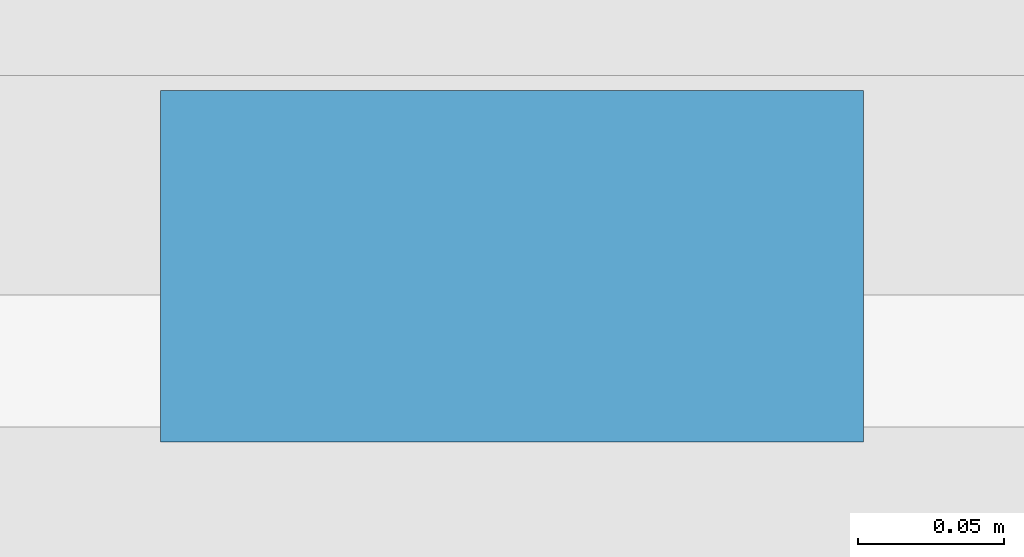
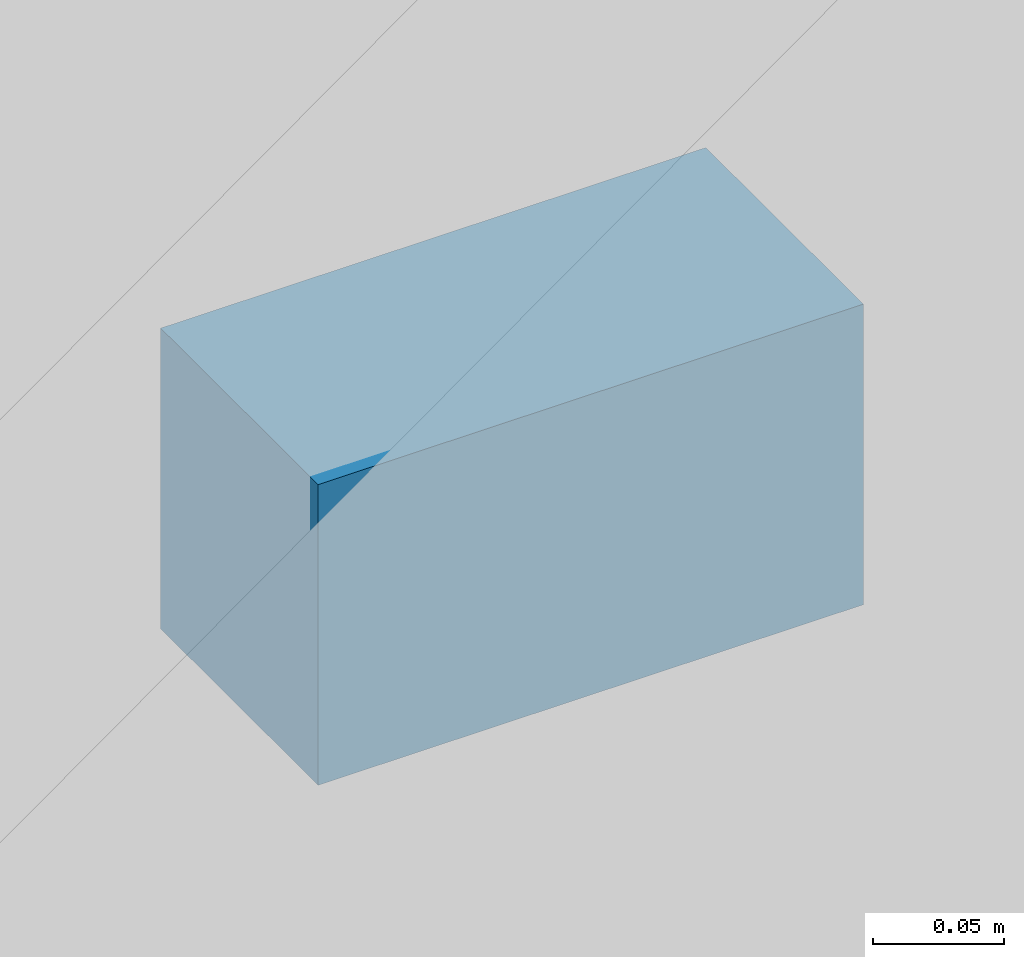
# One storey, part 37 of 53: 1 discrete accessory.
"""IFC4 building model written with IfcOpenShell, lengths in metres."""

from ifc_helpers import new_model, si_unit, direction, frame, origin, origin_2d, place, context, subcontext, project, spatial, rectangle, extrude, material, type_object, element, save


model = new_model("IFC4")

# Units and contexts
model_context = context("Model", 3, precision=1e-05, world=origin(), true_north=direction((0.0, 1.0)))
body_context = subcontext(model_context, "Body", "Model", "MODEL_VIEW")
ifc_project = project(units=[si_unit("LENGTHUNIT", "METRE"), si_unit("AREAUNIT", "SQUARE_METRE"), si_unit("VOLUMEUNIT", "CUBIC_METRE"), si_unit("PLANEANGLEUNIT", "RADIAN"), si_unit("MASSUNIT", "GRAM", prefix="KILO")], contexts=[model_context])

# Site, building, storey
site_placement = place(None, origin())
site = spatial("IfcSite", under=ifc_project, at=site_placement, CompositionType="ELEMENT")
building_placement = place(site_placement, origin())
building = spatial("IfcBuilding", under=site, at=building_placement, Name="Nzembalo Square Collegiate School", CompositionType="ELEMENT")
storey_placement = place(building_placement, frame((0.0, 0.0, 13.60009765625)))
storey = spatial("IfcBuildingStorey", under=building, at=storey_placement, Name="L03", CompositionType="ELEMENT", Elevation=13.60009765625)

# Discrete accessory
ifc_material = material(Name="Steel S355", Category="steel")
discrete_accessory_type = type_object("IfcDiscreteAccessoryType", Name="BK01", PredefinedType="BRACKET", material=ifc_material)
discrete_accessory_placement = place(storey_placement, frame((135.60009765625, 79.0224609375, 1.78466796875), z_axis=(0.0, 0.0, 1.0), x_axis=(1.0, 0.0, 0.0)))
element("IfcDiscreteAccessory", 1, at=discrete_accessory_placement, inside=storey, type_object=discrete_accessory_type, Name="Screen bracket BK01-016", PredefinedType="BRACKET", context=body_context, shape_type="SweptSolid", body=[
    extrude(rectangle(XDim=0.239990234375, YDim=0.1201171875, at=origin_2d()), origin(), (0.0, 0.0, 1.0), 0.139892578125),
])

save(model, "model.ifc")
